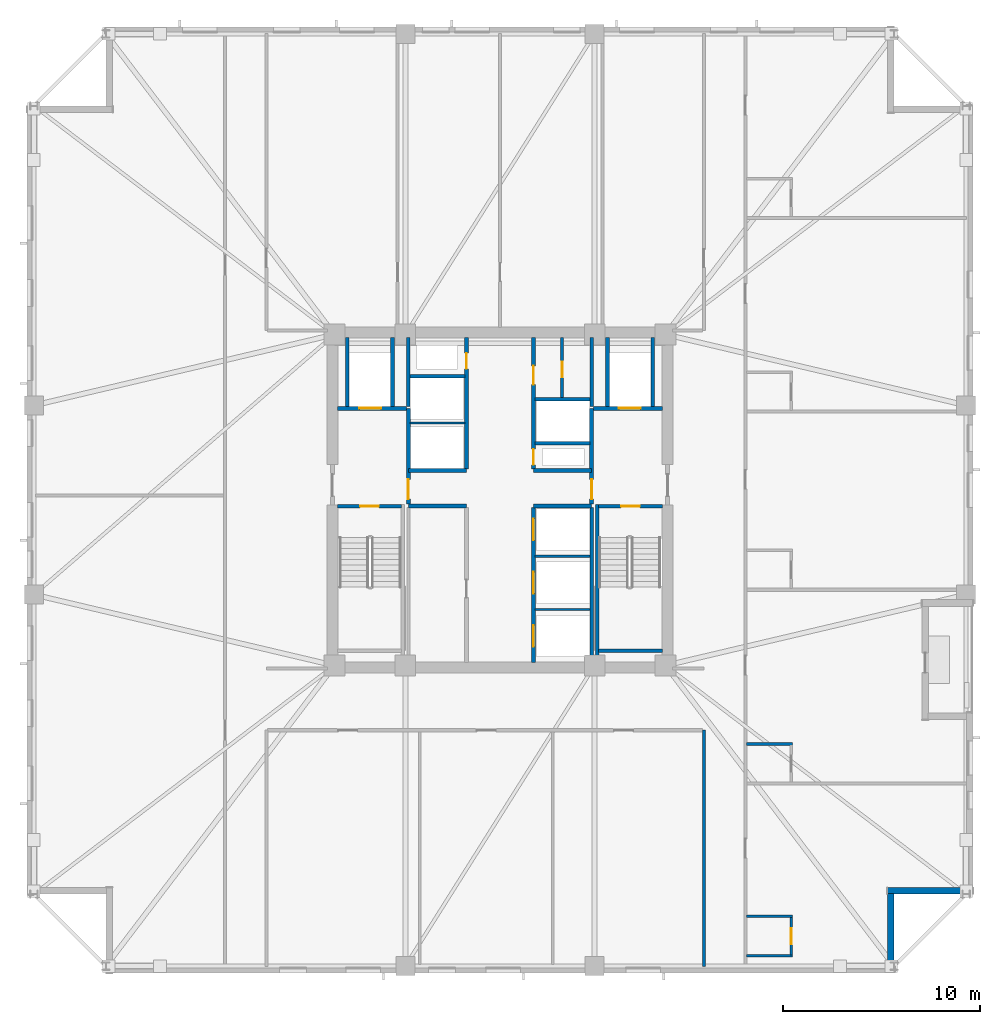
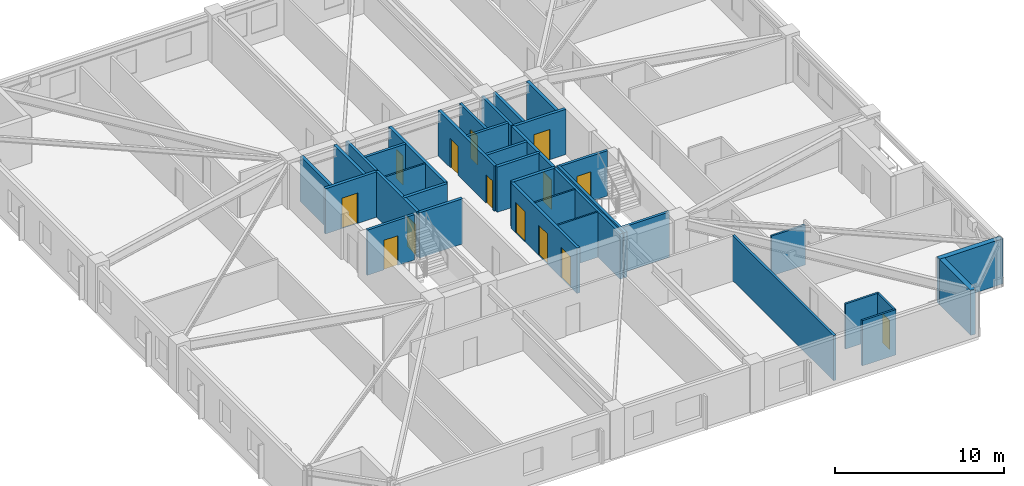
# One storey, part 3 of 10: 36 walls, 14 doors, 14 openings.
"""IFC4 building model written with IfcOpenShell, lengths in metres."""

from ifc_helpers import new_model, si_unit, direction, frame, frame_2d, origin, place, context, subcontext, project, spatial, rectangle, extrude, material, layer, layer_set, type_object, element, fill, save


model = new_model("IFC4")

# Units and contexts
model_context = context("Model", 3, precision=1e-05, world=origin(), true_north=direction((0.0, 1.0)))
body_context = subcontext(model_context, "Body", "Model", "MODEL_VIEW")
ifc_project = project(units=[si_unit("LENGTHUNIT", "METRE"), si_unit("AREAUNIT", "SQUARE_METRE"), si_unit("VOLUMEUNIT", "CUBIC_METRE"), si_unit("PLANEANGLEUNIT", "RADIAN"), si_unit("MASSUNIT", "GRAM", prefix="KILO")], contexts=[model_context])

# Site, building, storey
site_placement = place(None, origin())
site = spatial("IfcSite", under=ifc_project, at=site_placement, CompositionType="ELEMENT")
building_placement = place(site_placement, origin())
building = spatial("IfcBuilding", under=site, at=building_placement, Name="Cairnveth Concourse Tower", CompositionType="ELEMENT")
storey_placement = place(building_placement, frame((0.0, 0.0, 179.5)))
storey = spatial("IfcBuildingStorey", under=building, at=storey_placement, Name="L49", CompositionType="ELEMENT", Elevation=179.5)

# Wall, opening, door
ifc_material_1 = material(Name="Gypsum Plasterboard Partition", Category="gypsum")
ifc_layer_1 = layer(ifc_material_1, 0.159912109375)
ifc_layer_set_1 = layer_set([ifc_layer_1], Name="Gypsum Plasterboard Partition")
wall_type_1 = type_object("IfcWallType", Name="ACOUSTIC PARTY WALL 180", PredefinedType="PARTITIONING", material=ifc_layer_set_1)
wall_1_placement = place(storey_placement, frame((55.14990234375, 44.195068359375, 0.0), z_axis=(0.0, 0.0, 1.0), x_axis=(0.0, 1.0, 0.0)))
wall_1 = element("IfcWall", 1, at=wall_1_placement, inside=storey, type_object=wall_type_1, Name="Interior Wall IW-L49-035", PredefinedType="PARTITIONING", context=body_context, shape_type="SweptSolid", body=[
    extrude(rectangle(XDim=3.044921875, YDim=0.159912109375, at=frame_2d((1.5224609375, 0.0))), origin(), (0.0, 0.0, 1.0), 3.280029296875),
])
opening_1_placement = place(wall_1_placement, frame((1.02490234375, 0.0, 0.0)))
opening_1 = element("IfcOpeningElement", 2, at=opening_1_placement, cuts=wall_1, Name="Opening ID23", PredefinedType="OPENING", context=body_context, shape_type="SweptSolid", body=[
    extrude(rectangle(XDim=0.800048828125, YDim=2.10009765625, at=frame_2d((0.39990234375, 1.050048828125))), frame((0.0, 0.08984375, 0.0), z_axis=(0.0, -1.0, 0.0), x_axis=(1.0, 0.0, 0.0)), (0.0, 0.0, 1.0), 0.179931640625),
])
ifc_material_2 = material(Name="Steel Grade 350", Category="steel")
door_type_1 = type_object("IfcDoorType", Name="CORE SERVICE DOOR 800X2100", OperationType="NOTDEFINED", PredefinedType="DOOR", material=ifc_material_2)
door_1_placement = place(opening_1_placement, origin())
door_1 = element("IfcDoor", 3, at=door_1_placement, inside=storey, type_object=door_type_1, Name="NE Linen Closet Door L49", OperationType="SINGLE_SWING_RIGHT", OverallHeight=2.10009765625, OverallWidth=0.800048828125, PredefinedType="DOOR", context=body_context, shape_type="SweptSolid", body=[
    extrude(rectangle(XDim=0.800048828125, YDim=2.10009765625, at=frame_2d((0.39990234375, 1.050048828125))), frame((0.0, 0.02490234375, 0.0), z_axis=(0.0, -1.0, 0.0), x_axis=(1.0, 0.0, 0.0)), (0.0, 0.0, 1.0), 0.050048828125),
])
fill(opening_1, door_1)

# Walls
wall_2_placement = place(storey_placement, frame((62.35009765625, 15.324951171875, 0.0), z_axis=(0.0, 0.0, 1.0), x_axis=(0.0, 1.0, 0.0)))
element("IfcWall", 4, at=wall_2_placement, inside=storey, type_object=wall_type_1, Name="Interior Wall IW-L49-042", PredefinedType="PARTITIONING", context=body_context, shape_type="SweptSolid", body=[
    extrude(rectangle(XDim=11.9951171875, YDim=0.159912109375, at=frame_2d((5.99755859375, 0.0))), origin(), (0.0, 0.0, 1.0), 3.280029296875),
])
ifc_material_3 = material(Name="Concrete N50 (50 MPa)", Category="concrete")
ifc_layer_2 = layer(ifc_material_3, 0.179931640625)
ifc_layer_set_2 = layer_set([ifc_layer_2], Name="Concrete N50 (50 MPa)")
wall_type_2 = type_object("IfcWallType", Name="FIRE SHAFT WALL 180", PredefinedType="SOLIDWALL", material=ifc_layer_set_2)
wall_3_placement = place(storey_placement, frame((56.64990234375, 30.760009765625, 0.0), z_axis=(0.0, 0.0, 1.0), x_axis=(0.0, 1.0, 0.0)))
element("IfcWall", 5, at=wall_3_placement, inside=storey, type_object=wall_type_2, Name="Interior Wall IW-L49-026", PredefinedType="SOLIDWALL", context=body_context, shape_type="SweptSolid", body=[
    extrude(rectangle(XDim=7.85498046875, YDim=0.179931640625, at=frame_2d((3.927490234375, 0.0))), origin(), (0.0, 0.0, 1.0), 3.280029296875),
])
wall_4_placement = place(storey_placement, frame((47.35009765625, 43.735107421875, 0.0), z_axis=(0.0, 0.0, 1.0), x_axis=(0.0, 1.0, 0.0)))
element("IfcWall", 6, at=wall_4_placement, inside=storey, type_object=wall_type_2, Name="Interior Wall IW-L49-029", PredefinedType="SOLIDWALL", context=body_context, shape_type="SweptSolid", body=[
    extrude(rectangle(XDim=3.5048828125, YDim=0.179931640625, at=frame_2d((1.75244140625, 0.0))), origin(), (0.0, 0.0, 1.0), 3.280029296875),
])
wall_5_placement = place(storey_placement, frame((47.425048828125, 45.280029296875, 0.0), z_axis=(0.0, 0.0, 1.0), x_axis=(1.0, 0.0, 0.0)))
element("IfcWall", 7, at=wall_5_placement, inside=storey, type_object=wall_type_2, Name="Interior Wall IW-L49-031", PredefinedType="SOLIDWALL", context=body_context, shape_type="SweptSolid", body=[
    extrude(rectangle(XDim=2.7900390625, YDim=0.179931640625, at=frame_2d((1.39501953125, 0.0))), origin(), (0.0, 0.0, 1.0), 3.280029296875),
])
wall_6_placement = place(storey_placement, frame((56.64990234375, 43.735107421875, 0.0), z_axis=(0.0, 0.0, 1.0), x_axis=(0.0, 1.0, 0.0)))
element("IfcWall", 8, at=wall_6_placement, inside=storey, type_object=wall_type_2, Name="Interior Wall IW-L49-032", PredefinedType="SOLIDWALL", context=body_context, shape_type="SweptSolid", body=[
    extrude(rectangle(XDim=3.5048828125, YDim=0.179931640625, at=frame_2d((1.75244140625, 0.0))), origin(), (0.0, 0.0, 1.0), 3.280029296875),
])
wall_7_placement = place(storey_placement, frame((53.784912109375, 41.8798828125, 0.0), z_axis=(0.0, 0.0, 1.0), x_axis=(1.0, 0.0, 0.0)))
element("IfcWall", 9, at=wall_7_placement, inside=storey, type_object=wall_type_2, Name="Interior Wall IW-L49-033", PredefinedType="SOLIDWALL", context=body_context, shape_type="SweptSolid", body=[
    extrude(rectangle(XDim=2.780029296875, YDim=0.179931640625, at=frame_2d((1.39013671875, 0.0))), origin(), (0.0, 0.0, 1.0), 3.280029296875),
])
wall_8_placement = place(storey_placement, frame((53.784912109375, 44.1201171875, 0.0), z_axis=(0.0, 0.0, 1.0), x_axis=(1.0, 0.0, 0.0)))
element("IfcWall", 10, at=wall_8_placement, inside=storey, type_object=wall_type_2, Name="Interior Wall IW-L49-034", PredefinedType="SOLIDWALL", context=body_context, shape_type="SweptSolid", body=[
    extrude(rectangle(XDim=2.7900390625, YDim=0.179931640625, at=frame_2d((1.39501953125, 0.0))), origin(), (0.0, 0.0, 1.0), 3.280029296875),
])

# Wall, opening, door
wall_9_placement = place(storey_placement, frame((43.764892578125, 38.68994140625, 0.0), z_axis=(0.0, 0.0, 1.0), x_axis=(1.0, 0.0, 0.0)))
wall_9 = element("IfcWall", 11, at=wall_9_placement, inside=storey, type_object=wall_type_2, Name="Stair ST-1 Shaft Wall NEAR L49", PredefinedType="SOLIDWALL", context=body_context, shape_type="SweptSolid", body=[
    extrude(rectangle(XDim=3.230224609375, YDim=0.179931640625, at=frame_2d((1.615234375, 0.0))), origin(), (0.0, 0.0, 1.0), 3.280029296875),
])
opening_2_placement = place(wall_9_placement, frame((1.139892578125, 0.0, 0.0)))
opening_2 = element("IfcOpeningElement", 12, at=opening_2_placement, cuts=wall_9, Name="Opening ID12", PredefinedType="OPENING", context=body_context, shape_type="SweptSolid", body=[
    extrude(rectangle(XDim=0.949951171875, YDim=2.14990234375, at=frame_2d((0.47509765625, 1.074951171875))), frame((0.0, 0.099853515625, 0.0), z_axis=(0.0, -1.0, 0.0), x_axis=(1.0, 0.0, 0.0)), (0.0, 0.0, 1.0), 0.199951171875),
])
door_type_2 = type_object("IfcDoorType", Name="FIRE STAIR DOOR 950X2150", OperationType="NOTDEFINED", PredefinedType="DOOR", material=ifc_material_2)
door_2_placement = place(opening_2_placement, origin())
door_2 = element("IfcDoor", 13, at=door_2_placement, inside=storey, type_object=door_type_2, Name="Stair ST-1 Fire Door L49", OperationType="SINGLE_SWING_LEFT", OverallHeight=2.14990234375, OverallWidth=0.949951171875, PredefinedType="DOOR", context=body_context, shape_type="SweptSolid", body=[
    extrude(rectangle(XDim=0.949951171875, YDim=2.14990234375, at=frame_2d((0.47509765625, 1.074951171875))), frame((0.0, 0.02490234375, 0.0), z_axis=(0.0, -1.0, 0.0), x_axis=(1.0, 0.0, 0.0)), (0.0, 0.0, 1.0), 0.050048828125),
])
fill(opening_2, door_2)

wall_10_placement = place(storey_placement, frame((57.0048828125, 38.68994140625, 0.0), z_axis=(0.0, 0.0, 1.0), x_axis=(1.0, 0.0, 0.0)))
wall_10 = element("IfcWall", 14, at=wall_10_placement, inside=storey, type_object=wall_type_2, Name="Stair ST-2 Shaft Wall NEAR L49", PredefinedType="SOLIDWALL", context=body_context, shape_type="SweptSolid", body=[
    extrude(rectangle(XDim=3.230224609375, YDim=0.179931640625, at=frame_2d((1.615234375, 0.0))), origin(), (0.0, 0.0, 1.0), 3.280029296875),
])
opening_3_placement = place(wall_10_placement, frame((1.139892578125, 0.0, 0.0)))
opening_3 = element("IfcOpeningElement", 15, at=opening_3_placement, cuts=wall_10, Name="Opening ID12", PredefinedType="OPENING", context=body_context, shape_type="SweptSolid", body=[
    extrude(rectangle(XDim=0.949951171875, YDim=2.14990234375, at=frame_2d((0.47509765625, 1.074951171875))), frame((0.0, 0.099853515625, 0.0), z_axis=(0.0, -1.0, 0.0), x_axis=(1.0, 0.0, 0.0)), (0.0, 0.0, 1.0), 0.199951171875),
])
door_3_placement = place(opening_3_placement, origin())
door_3 = element("IfcDoor", 16, at=door_3_placement, inside=storey, type_object=door_type_2, Name="Stair ST-2 Fire Door L49", OperationType="SINGLE_SWING_RIGHT", OverallHeight=2.14990234375, OverallWidth=0.949951171875, PredefinedType="DOOR", context=body_context, shape_type="SweptSolid", body=[
    extrude(rectangle(XDim=0.949951171875, YDim=2.14990234375, at=frame_2d((0.47509765625, 1.074951171875))), frame((0.0, 0.02490234375, 0.0), z_axis=(0.0, -1.0, 0.0), x_axis=(1.0, 0.0, 0.0)), (0.0, 0.0, 1.0), 0.050048828125),
])
fill(opening_3, door_3)

# Walls
wall_11_placement = place(storey_placement, frame((57.0048828125, 31.360107421875, 0.0), z_axis=(0.0, 0.0, 1.0), x_axis=(1.0, 0.0, 0.0)))
element("IfcWall", 17, at=wall_11_placement, inside=storey, type_object=wall_type_2, Name="Stair ST-2 Shaft Wall FAR L49", PredefinedType="SOLIDWALL", context=body_context, shape_type="SweptSolid", body=[
    extrude(rectangle(XDim=3.230224609375, YDim=0.179931640625, at=frame_2d((1.615234375, 0.0))), origin(), (0.0, 0.0, 1.0), 3.280029296875),
])
wall_12_placement = place(storey_placement, frame((56.929931640625, 38.780029296875, 0.0), z_axis=(0.0, 0.0, 1.0), x_axis=(0.0, -1.0, 0.0)))
element("IfcWall", 18, at=wall_12_placement, inside=storey, type_object=wall_type_2, Name="Stair ST-2 Shaft Wall LEFT L49", PredefinedType="SOLIDWALL", context=body_context, shape_type="SweptSolid", body=[
    extrude(rectangle(XDim=8.01708984375, YDim=0.179931640625, at=frame_2d((4.008544921875, 0.0))), origin(), (0.0, 0.0, 1.0), 3.280029296875),
])
ifc_layer_3 = layer(ifc_material_3, 0.199951171875)
ifc_layer_set_3 = layer_set([ifc_layer_3], Name="Concrete N50 (50 MPa)")
wall_type_3 = type_object("IfcWallType", Name="FIRE SHAFT WALL 200", PredefinedType="SOLIDWALL", material=ifc_layer_set_3)
for number, where, z_axis, x_axis, name in (
    (19, (47.35009765625, 38.699951171875, 0.0), (0.0, 0.0, 1.0), (1.0, 0.0, 0.0), "Interior Wall IW-L49-007"),
    (20, (47.35009765625, 40.5, 0.0), (0.0, 0.0, 1.0), (1.0, 0.0, 0.0), "Interior Wall IW-L49-008"),
    (21, (53.699951171875, 38.699951171875, 0.0), (0.0, 0.0, 1.0), (1.0, 0.0, 0.0), "Interior Wall IW-L49-009"),
    (22, (53.699951171875, 40.5, 0.0), (0.0, 0.0, 1.0), (1.0, 0.0, 0.0), "Interior Wall IW-L49-010"),
):
    element("IfcWall", number, at=place(storey_placement, frame(where, z_axis=z_axis, x_axis=x_axis)), inside=storey, type_object=wall_type_3, Name=name, PredefinedType="SOLIDWALL", context=body_context, shape_type="SweptSolid", body=[
        extrude(rectangle(XDim=2.949951171875, YDim=0.199951171875, at=frame_2d((1.47509765625, 0.0))), origin(), (0.0, 0.0, 1.0), 3.280029296875),
    ])

# Wall, openings, doors
wall_13_placement = place(storey_placement, frame((53.699951171875, 30.760009765625, 0.0), z_axis=(0.0, 0.0, 1.0), x_axis=(0.0, 1.0, 0.0)))
wall_13 = element("IfcWall", 23, at=wall_13_placement, inside=storey, type_object=wall_type_3, Name="Interior Wall IW-L49-012", PredefinedType="SOLIDWALL", context=body_context, shape_type="SweptSolid", body=[
    extrude(rectangle(XDim=7.85498046875, YDim=0.199951171875, at=frame_2d((3.927490234375, 0.0))), origin(), (0.0, 0.0, 1.0), 3.280029296875),
])
opening_4_placement = place(wall_13_placement, frame((0.7900390625, 0.0, 0.0)))
opening_4 = element("IfcOpeningElement", 24, at=opening_4_placement, cuts=wall_13, Name="Opening LD-1", PredefinedType="OPENING", context=body_context, shape_type="SweptSolid", body=[
    extrude(rectangle(XDim=1.10009765625, YDim=2.199951171875, at=frame_2d((0.550048828125, 1.10009765625))), frame((0.0, 0.10986328125, 0.0), z_axis=(0.0, -1.0, 0.0), x_axis=(1.0, 0.0, 0.0)), (0.0, 0.0, 1.0), 0.219970703125),
])
opening_5_placement = place(wall_13_placement, frame((3.489990234375, 0.0, 0.0)))
opening_5 = element("IfcOpeningElement", 25, at=opening_5_placement, cuts=wall_13, Name="Opening LD-1", PredefinedType="OPENING", context=body_context, shape_type="SweptSolid", body=[
    extrude(rectangle(XDim=1.10009765625, YDim=2.199951171875, at=frame_2d((0.550048828125, 1.10009765625))), frame((0.0, 0.10986328125, 0.0), z_axis=(0.0, -1.0, 0.0), x_axis=(1.0, 0.0, 0.0)), (0.0, 0.0, 1.0), 0.219970703125),
])
opening_6_placement = place(wall_13_placement, frame((6.18994140625, 0.0, 0.0)))
opening_6 = element("IfcOpeningElement", 26, at=opening_6_placement, cuts=wall_13, Name="Opening LD-1", PredefinedType="OPENING", context=body_context, shape_type="SweptSolid", body=[
    extrude(rectangle(XDim=1.10009765625, YDim=2.199951171875, at=frame_2d((0.550048828125, 1.10009765625))), frame((0.0, 0.10986328125, 0.0), z_axis=(0.0, -1.0, 0.0), x_axis=(1.0, 0.0, 0.0)), (0.0, 0.0, 1.0), 0.219970703125),
])
ifc_material_4 = material(Name="Architectural Bronze Anodised Aluminium 6063-T6", Category="aluminium")
door_type_3 = type_object("IfcDoorType", Name="LIFT LANDING DOOR 1100X2200", OperationType="SLIDING_TO_LEFT", PredefinedType="DOOR", material=ifc_material_4)
door_4_placement = place(opening_4_placement, origin())
door_4 = element("IfcDoor", 27, at=door_4_placement, inside=storey, type_object=door_type_3, Name="Lift PL4 Landing Door L49", OperationType="SLIDING_TO_LEFT", OverallHeight=2.199951171875, OverallWidth=1.10009765625, PredefinedType="DOOR", context=body_context, shape_type="SweptSolid", body=[
    extrude(rectangle(XDim=1.10009765625, YDim=2.199951171875, at=frame_2d((0.550048828125, 1.10009765625))), frame((0.0, 0.02490234375, 0.0), z_axis=(0.0, -1.0, 0.0), x_axis=(1.0, 0.0, 0.0)), (0.0, 0.0, 1.0), 0.050048828125),
])
fill(opening_4, door_4)
door_5_placement = place(opening_5_placement, origin())
door_5 = element("IfcDoor", 28, at=door_5_placement, inside=storey, type_object=door_type_3, Name="Lift PL5 Landing Door L49", OperationType="SLIDING_TO_LEFT", OverallHeight=2.199951171875, OverallWidth=1.10009765625, PredefinedType="DOOR", context=body_context, shape_type="SweptSolid", body=[
    extrude(rectangle(XDim=1.10009765625, YDim=2.199951171875, at=frame_2d((0.550048828125, 1.10009765625))), frame((0.0, 0.02490234375, 0.0), z_axis=(0.0, -1.0, 0.0), x_axis=(1.0, 0.0, 0.0)), (0.0, 0.0, 1.0), 0.050048828125),
])
fill(opening_5, door_5)
door_6_placement = place(opening_6_placement, origin())
door_6 = element("IfcDoor", 29, at=door_6_placement, inside=storey, type_object=door_type_3, Name="Lift PL6 Landing Door L49", OperationType="SLIDING_TO_LEFT", OverallHeight=2.199951171875, OverallWidth=1.10009765625, PredefinedType="DOOR", context=body_context, shape_type="SweptSolid", body=[
    extrude(rectangle(XDim=1.10009765625, YDim=2.199951171875, at=frame_2d((0.550048828125, 1.10009765625))), frame((0.0, 0.02490234375, 0.0), z_axis=(0.0, -1.0, 0.0), x_axis=(1.0, 0.0, 0.0)), (0.0, 0.0, 1.0), 0.050048828125),
])
fill(opening_6, door_6)

# Wall, opening, door
wall_14_placement = place(storey_placement, frame((50.300048828125, 40.5849609375, 0.0), z_axis=(0.0, 0.0, 1.0), x_axis=(0.0, 1.0, 0.0)))
wall_14 = element("IfcWall", 30, at=wall_14_placement, inside=storey, type_object=wall_type_3, Name="Interior Wall IW-L49-013", PredefinedType="SOLIDWALL", context=body_context, shape_type="SweptSolid", body=[
    extrude(rectangle(XDim=6.655029296875, YDim=0.199951171875, at=frame_2d((3.32763671875, 0.0))), origin(), (0.0, 0.0, 1.0), 3.280029296875),
])
opening_7_placement = place(wall_14_placement, frame((5.06494140625, 0.0, 0.0)))
opening_7 = element("IfcOpeningElement", 31, at=opening_7_placement, cuts=wall_14, Name="Opening ID24", PredefinedType="OPENING", context=body_context, shape_type="SweptSolid", body=[
    extrude(rectangle(XDim=0.800048828125, YDim=2.080078125, at=frame_2d((0.39990234375, 1.0400390625))), frame((0.0, 0.10986328125, 0.0), z_axis=(0.0, -1.0, 0.0), x_axis=(1.0, 0.0, 0.0)), (0.0, 0.0, 1.0), 0.219970703125),
])
door_type_4 = type_object("IfcDoorType", Name="RISER ACCESS DOOR 800X2100", OperationType="NOTDEFINED", PredefinedType="DOOR", material=ifc_material_2)
door_7_placement = place(opening_7_placement, origin())
door_7 = element("IfcDoor", 32, at=door_7_placement, inside=storey, type_object=door_type_4, Name="NW Electrical Riser Access Door L49", OperationType="SINGLE_SWING_LEFT", OverallHeight=2.080078125, OverallWidth=0.800048828125, PredefinedType="DOOR", context=body_context, shape_type="SweptSolid", body=[
    extrude(rectangle(XDim=0.800048828125, YDim=2.080078125, at=frame_2d((0.39990234375, 1.0400390625))), frame((0.0, 0.02490234375, 0.0), z_axis=(0.0, -1.0, 0.0), x_axis=(1.0, 0.0, 0.0)), (0.0, 0.0, 1.0), 0.050048828125),
])
fill(opening_7, door_7)

# Wall, openings, doors
wall_15_placement = place(storey_placement, frame((53.699951171875, 40.5849609375, 0.0), z_axis=(0.0, 0.0, 1.0), x_axis=(0.0, 1.0, 0.0)))
wall_15 = element("IfcWall", 33, at=wall_15_placement, inside=storey, type_object=wall_type_3, Name="Interior Wall IW-L49-014", PredefinedType="SOLIDWALL", context=body_context, shape_type="SweptSolid", body=[
    extrude(rectangle(XDim=6.655029296875, YDim=0.199951171875, at=frame_2d((3.32763671875, 0.0))), origin(), (0.0, 0.0, 1.0), 3.280029296875),
])
opening_8_placement = place(wall_15_placement, frame((0.195068359375, 0.0, 0.0)))
opening_8 = element("IfcOpeningElement", 34, at=opening_8_placement, cuts=wall_15, Name="Opening ID24", PredefinedType="OPENING", context=body_context, shape_type="SweptSolid", body=[
    extrude(rectangle(XDim=0.800048828125, YDim=2.080078125, at=frame_2d((0.39990234375, 1.0400390625))), frame((0.0, 0.10986328125, 0.0), z_axis=(0.0, -1.0, 0.0), x_axis=(1.0, 0.0, 0.0)), (0.0, 0.0, 1.0), 0.219970703125),
])
opening_9_placement = place(wall_15_placement, frame((4.264892578125, 0.0, 0.0)))
opening_9 = element("IfcOpeningElement", 35, at=opening_9_placement, cuts=wall_15, Name="Opening ID25", PredefinedType="OPENING", context=body_context, shape_type="SweptSolid", body=[
    extrude(rectangle(XDim=0.949951171875, YDim=2.1201171875, at=frame_2d((0.47509765625, 1.06005859375))), frame((0.0, 0.10986328125, 0.0), z_axis=(0.0, -1.0, 0.0), x_axis=(1.0, 0.0, 0.0)), (0.0, 0.0, 1.0), 0.219970703125),
])
door_type_5 = type_object("IfcDoorType", Name="CORE ACCESSIBLE FIRE DOOR 950X2120", OperationType="NOTDEFINED", PredefinedType="DOOR", material=ifc_material_2)
door_8_placement = place(opening_9_placement, origin())
door_8 = element("IfcDoor", 36, at=door_8_placement, inside=storey, type_object=door_type_5, Name="Core NE Restroom Door L49", OperationType="SINGLE_SWING_LEFT", OverallHeight=2.1201171875, OverallWidth=0.949951171875, PredefinedType="DOOR", context=body_context, shape_type="SweptSolid", body=[
    extrude(rectangle(XDim=0.949951171875, YDim=2.1201171875, at=frame_2d((0.47509765625, 1.06005859375))), frame((0.0, 0.02490234375, 0.0), z_axis=(0.0, -1.0, 0.0), x_axis=(1.0, 0.0, 0.0)), (0.0, 0.0, 1.0), 0.050048828125),
])
fill(opening_9, door_8)
door_9_placement = place(opening_8_placement, origin())
door_9 = element("IfcDoor", 37, at=door_9_placement, inside=storey, type_object=door_type_4, Name="Hydraulic Riser Door L49", OperationType="SINGLE_SWING_RIGHT", OverallHeight=2.080078125, OverallWidth=0.800048828125, PredefinedType="DOOR", context=body_context, shape_type="SweptSolid", body=[
    extrude(rectangle(XDim=0.800048828125, YDim=2.080078125, at=frame_2d((0.39990234375, 1.0400390625))), frame((0.0, 0.02490234375, 0.0), z_axis=(0.0, -1.0, 0.0), x_axis=(1.0, 0.0, 0.0)), (0.0, 0.0, 1.0), 0.050048828125),
])
fill(opening_8, door_9)

# Wall, opening, door
wall_16_placement = place(storey_placement, frame((47.35009765625, 38.784912109375, 0.0), z_axis=(0.0, 0.0, 1.0), x_axis=(0.0, 1.0, 0.0)))
wall_16 = element("IfcWall", 38, at=wall_16_placement, inside=storey, type_object=wall_type_3, Name="Interior Wall IW-L49-016", PredefinedType="SOLIDWALL", context=body_context, shape_type="SweptSolid", body=[
    extrude(rectangle(XDim=4.864990234375, YDim=0.199951171875, at=frame_2d((2.4326171875, 0.0))), origin(), (0.0, 0.0, 1.0), 3.280029296875),
])
opening_10_placement = place(wall_16_placement, frame((0.264892578125, 0.0, 0.0)))
opening_10 = element("IfcOpeningElement", 39, at=opening_10_placement, cuts=wall_16, Name="Opening ID07", PredefinedType="OPENING", context=body_context, shape_type="SweptSolid", body=[
    extrude(rectangle(XDim=1.0, YDim=2.14990234375, at=frame_2d((0.5, 1.074951171875))), frame((0.0, 0.10986328125, 0.0), z_axis=(0.0, -1.0, 0.0), x_axis=(1.0, 0.0, 0.0)), (0.0, 0.0, 1.0), 0.219970703125),
])
door_type_6 = type_object("IfcDoorType", Name="FIRE CORRIDOR DOOR 1000X2150", OperationType="NOTDEFINED", PredefinedType="DOOR", material=ifc_material_2)
door_10_placement = place(opening_10_placement, origin())
door_10 = element("IfcDoor", 40, at=door_10_placement, inside=storey, type_object=door_type_6, Name="FF Lobby West to Lift Lobby Door L49", OperationType="SINGLE_SWING_RIGHT", OverallHeight=2.14990234375, OverallWidth=1.0, PredefinedType="DOOR", context=body_context, shape_type="SweptSolid", body=[
    extrude(rectangle(XDim=1.0, YDim=2.14990234375, at=frame_2d((0.5, 1.074951171875))), frame((0.0, 0.02490234375, 0.0), z_axis=(0.0, -1.0, 0.0), x_axis=(1.0, 0.0, 0.0)), (0.0, 0.0, 1.0), 0.050048828125),
])
fill(opening_10, door_10)

wall_17_placement = place(storey_placement, frame((43.760009765625, 43.64990234375, 0.0), z_axis=(0.0, 0.0, 1.0), x_axis=(1.0, 0.0, 0.0)))
wall_17 = element("IfcWall", 41, at=wall_17_placement, inside=storey, type_object=wall_type_3, Name="Interior Wall IW-L49-017", PredefinedType="SOLIDWALL", context=body_context, shape_type="SweptSolid", body=[
    extrude(rectangle(XDim=3.5048828125, YDim=0.199951171875, at=frame_2d((1.75244140625, 0.0))), origin(), (0.0, 0.0, 1.0), 3.280029296875),
])
opening_11_placement = place(wall_17_placement, frame((1.110107421875, 0.0, 0.0)))
opening_11 = element("IfcOpeningElement", 42, at=opening_11_placement, cuts=wall_17, Name="Opening LD-1", PredefinedType="OPENING", context=body_context, shape_type="SweptSolid", body=[
    extrude(rectangle(XDim=1.10009765625, YDim=2.199951171875, at=frame_2d((0.550048828125, 1.10009765625))), frame((0.0, 0.10986328125, 0.0), z_axis=(0.0, -1.0, 0.0), x_axis=(1.0, 0.0, 0.0)), (0.0, 0.0, 1.0), 0.219970703125),
])
door_11_placement = place(opening_11_placement, origin())
door_11 = element("IfcDoor", 43, at=door_11_placement, inside=storey, type_object=door_type_3, Name="Lift FFL1 Landing Door L49", OperationType="SLIDING_TO_LEFT", OverallHeight=2.199951171875, OverallWidth=1.10009765625, PredefinedType="DOOR", context=body_context, shape_type="SweptSolid", body=[
    extrude(rectangle(XDim=1.10009765625, YDim=2.199951171875, at=frame_2d((0.550048828125, 1.10009765625))), frame((0.0, 0.02490234375, 0.0), z_axis=(0.0, -1.0, 0.0), x_axis=(1.0, 0.0, 0.0)), (0.0, 0.0, 1.0), 0.050048828125),
])
fill(opening_11, door_11)

# Walls
for number, where, z_axis, x_axis, name in (
    (44, (46.550048828125, 43.735107421875, 0.0), (0.0, 0.0, 1.0), (0.0, 1.0, 0.0), "Interior Wall IW-L49-018"),
    (45, (44.25, 43.735107421875, 0.0), (0.0, 0.0, 1.0), (0.0, 1.0, 0.0), "Interior Wall IW-L49-019"),
):
    element("IfcWall", number, at=place(storey_placement, frame(where, z_axis=z_axis, x_axis=x_axis)), inside=storey, type_object=wall_type_3, Name=name, PredefinedType="SOLIDWALL", context=body_context, shape_type="SweptSolid", body=[
        extrude(rectangle(XDim=3.5048828125, YDim=0.199951171875, at=frame_2d((1.75244140625, 0.0))), origin(), (0.0, 0.0, 1.0), 3.280029296875),
    ])

# Wall, opening, door
wall_18_placement = place(storey_placement, frame((56.64990234375, 38.784912109375, 0.0), z_axis=(0.0, 0.0, 1.0), x_axis=(0.0, 1.0, 0.0)))
wall_18 = element("IfcWall", 46, at=wall_18_placement, inside=storey, type_object=wall_type_3, Name="Interior Wall IW-L49-021", PredefinedType="SOLIDWALL", context=body_context, shape_type="SweptSolid", body=[
    extrude(rectangle(XDim=4.864990234375, YDim=0.199951171875, at=frame_2d((2.4326171875, 0.0))), origin(), (0.0, 0.0, 1.0), 3.280029296875),
])
opening_12_placement = place(wall_18_placement, frame((0.264892578125, 0.0, 0.0)))
opening_12 = element("IfcOpeningElement", 47, at=opening_12_placement, cuts=wall_18, Name="Opening ID07", PredefinedType="OPENING", context=body_context, shape_type="SweptSolid", body=[
    extrude(rectangle(XDim=1.0, YDim=2.14990234375, at=frame_2d((0.5, 1.074951171875))), frame((0.0, 0.10986328125, 0.0), z_axis=(0.0, -1.0, 0.0), x_axis=(1.0, 0.0, 0.0)), (0.0, 0.0, 1.0), 0.219970703125),
])
door_12_placement = place(opening_12_placement, origin())
door_12 = element("IfcDoor", 48, at=door_12_placement, inside=storey, type_object=door_type_6, Name="FF Lobby East to Lift Lobby Door L49", OperationType="SINGLE_SWING_LEFT", OverallHeight=2.14990234375, OverallWidth=1.0, PredefinedType="DOOR", context=body_context, shape_type="SweptSolid", body=[
    extrude(rectangle(XDim=1.0, YDim=2.14990234375, at=frame_2d((0.5, 1.074951171875))), frame((0.0, 0.02490234375, 0.0), z_axis=(0.0, -1.0, 0.0), x_axis=(1.0, 0.0, 0.0)), (0.0, 0.0, 1.0), 0.050048828125),
])
fill(opening_12, door_12)

wall_19_placement = place(storey_placement, frame((56.735107421875, 43.64990234375, 0.0), z_axis=(0.0, 0.0, 1.0), x_axis=(1.0, 0.0, 0.0)))
wall_19 = element("IfcWall", 49, at=wall_19_placement, inside=storey, type_object=wall_type_3, Name="Interior Wall IW-L49-022", PredefinedType="SOLIDWALL", context=body_context, shape_type="SweptSolid", body=[
    extrude(rectangle(XDim=3.5048828125, YDim=0.199951171875, at=frame_2d((1.75244140625, 0.0))), origin(), (0.0, 0.0, 1.0), 3.280029296875),
])
opening_13_placement = place(wall_19_placement, frame((1.294921875, 0.0, 0.0)))
opening_13 = element("IfcOpeningElement", 50, at=opening_13_placement, cuts=wall_19, Name="Opening LD-1", PredefinedType="OPENING", context=body_context, shape_type="SweptSolid", body=[
    extrude(rectangle(XDim=1.10009765625, YDim=2.199951171875, at=frame_2d((0.550048828125, 1.10009765625))), frame((0.0, 0.10986328125, 0.0), z_axis=(0.0, -1.0, 0.0), x_axis=(1.0, 0.0, 0.0)), (0.0, 0.0, 1.0), 0.219970703125),
])
door_13_placement = place(opening_13_placement, origin())
door_13 = element("IfcDoor", 51, at=door_13_placement, inside=storey, type_object=door_type_3, Name="Lift FFL2 Landing Door L49", OperationType="SLIDING_TO_LEFT", OverallHeight=2.199951171875, OverallWidth=1.10009765625, PredefinedType="DOOR", context=body_context, shape_type="SweptSolid", body=[
    extrude(rectangle(XDim=1.10009765625, YDim=2.199951171875, at=frame_2d((0.550048828125, 1.10009765625))), frame((0.0, 0.02490234375, 0.0), z_axis=(0.0, -1.0, 0.0), x_axis=(1.0, 0.0, 0.0)), (0.0, 0.0, 1.0), 0.050048828125),
])
fill(opening_13, door_13)

# Walls
for number, where, z_axis, x_axis, name in (
    (52, (57.449951171875, 43.735107421875, 0.0), (0.0, 0.0, 1.0), (0.0, 1.0, 0.0), "Interior Wall IW-L49-023"),
    (53, (59.75, 43.735107421875, 0.0), (0.0, 0.0, 1.0), (0.0, 1.0, 0.0), "Interior Wall IW-L49-024"),
):
    element("IfcWall", number, at=place(storey_placement, frame(where, z_axis=z_axis, x_axis=x_axis)), inside=storey, type_object=wall_type_3, Name=name, PredefinedType="SOLIDWALL", context=body_context, shape_type="SweptSolid", body=[
        extrude(rectangle(XDim=3.5048828125, YDim=0.199951171875, at=frame_2d((1.75244140625, 0.0))), origin(), (0.0, 0.0, 1.0), 3.280029296875),
    ])
ifc_layer_4 = layer(ifc_material_1, 0.110107421875)
ifc_layer_set_4 = layer_set([ifc_layer_4], Name="Gypsum Plasterboard Partition")
wall_type_4 = type_object("IfcWallType", Name="SHAFT DIVIDER WALL 140", PredefinedType="PARTITIONING", material=ifc_layer_set_4)
for number, where, z_axis, x_axis, name in (
    (54, (53.784912109375, 33.449951171875, 0.0), (0.0, 0.0, 1.0), (1.0, 0.0, 0.0), "Interior Wall IW-L49-027"),
    (55, (53.784912109375, 36.14990234375, 0.0), (0.0, 0.0, 1.0), (1.0, 0.0, 0.0), "Interior Wall IW-L49-028"),
):
    element("IfcWall", number, at=place(storey_placement, frame(where, z_axis=z_axis, x_axis=x_axis)), inside=storey, type_object=wall_type_4, Name=name, PredefinedType="PARTITIONING", context=body_context, shape_type="SweptSolid", body=[
        extrude(rectangle(XDim=2.7900390625, YDim=0.110107421875, at=frame_2d((1.39501953125, 0.0))), origin(), (0.0, 0.0, 1.0), 3.280029296875),
    ])
wall_20_placement = place(storey_placement, frame((47.43505859375, 42.89990234375, 0.0), z_axis=(0.0, 0.0, 1.0), x_axis=(1.0, 0.0, 0.0)))
element("IfcWall", 56, at=wall_20_placement, inside=storey, type_object=wall_type_4, Name="Interior Wall IW-L49-030", PredefinedType="PARTITIONING", context=body_context, shape_type="SweptSolid", body=[
    extrude(rectangle(XDim=2.780029296875, YDim=0.110107421875, at=frame_2d((1.39013671875, 0.0))), origin(), (0.0, 0.0, 1.0), 3.280029296875),
])
ifc_layer_5 = layer(ifc_material_1, 0.1298828125)
ifc_layer_set_5 = layer_set([ifc_layer_5], Name="Gypsum Plasterboard Partition")
wall_type_5 = type_object("IfcWallType", Name="WET AREA PARTITION 140", PredefinedType="PLUMBINGWALL", material=ifc_layer_set_5)
for number, where, z_axis, x_axis, name in (
    (57, (64.514892578125, 15.8701171875, 0.0), (0.0, 0.0, 1.0), (1.0, 0.0, 0.0), "Interior Wall IW-L49-053"),
    (58, (64.514892578125, 17.8701171875, 0.0), (0.0, 0.0, 1.0), (1.0, 0.0, 0.0), "Interior Wall IW-L49-054"),
):
    element("IfcWall", number, at=place(storey_placement, frame(where, z_axis=z_axis, x_axis=x_axis)), inside=storey, type_object=wall_type_5, Name=name, PredefinedType="PLUMBINGWALL", context=body_context, shape_type="SweptSolid", body=[
        extrude(rectangle(XDim=2.315185546875, YDim=0.1298828125, at=frame_2d((1.15771484375, 0.0))), origin(), (0.0, 0.0, 1.0), 3.280029296875),
    ])

# Wall, opening, door
wall_21_placement = place(storey_placement, frame((66.780029296875, 15.919921875, 0.0), z_axis=(0.0, 0.0, 1.0), x_axis=(0.0, 1.0, 0.0)))
wall_21 = element("IfcWall", 59, at=wall_21_placement, inside=storey, type_object=wall_type_5, Name="Interior Wall IW-L49-055", PredefinedType="PLUMBINGWALL", context=body_context, shape_type="SweptSolid", body=[
    extrude(rectangle(XDim=1.900146484375, YDim=0.1298828125, at=frame_2d((0.9501953125, 0.0))), origin(), (0.0, 0.0, 1.0), 3.280029296875),
])
opening_14_placement = place(wall_21_placement, frame((0.5400390625, 0.0, 0.0)))
opening_14 = element("IfcOpeningElement", 60, at=opening_14_placement, cuts=wall_21, Name="Opening ID22", PredefinedType="OPENING", context=body_context, shape_type="SweptSolid", body=[
    extrude(rectangle(XDim=0.820068359375, YDim=2.10009765625, at=frame_2d((0.41015625, 1.050048828125))), frame((0.0, 0.074951171875, 0.0), z_axis=(0.0, -1.0, 0.0), x_axis=(1.0, 0.0, 0.0)), (0.0, 0.0, 1.0), 0.14990234375),
])
ifc_material_5 = material(Name="Solid Core Hardwood Timber Leaf", Category="wood")
door_type_7 = type_object("IfcDoorType", Name="INTERIOR WC DOOR 820X2100", OperationType="NOTDEFINED", PredefinedType="DOOR", material=ifc_material_5)
door_14_placement = place(opening_14_placement, origin())
door_14 = element("IfcDoor", 61, at=door_14_placement, inside=storey, type_object=door_type_7, Name="En-Suite Door L49-E1", OperationType="SINGLE_SWING_RIGHT", OverallHeight=2.10009765625, OverallWidth=0.820068359375, PredefinedType="DOOR", context=body_context, shape_type="SweptSolid", body=[
    extrude(rectangle(XDim=0.820068359375, YDim=2.10009765625, at=frame_2d((0.41015625, 1.050048828125))), frame((0.0, 0.02490234375, 0.0), z_axis=(0.0, -1.0, 0.0), x_axis=(1.0, 0.0, 0.0)), (0.0, 0.0, 1.0), 0.050048828125),
])
fill(opening_14, door_14)

# Walls
wall_22_placement = place(storey_placement, frame((64.514892578125, 26.61962890625, 0.0), z_axis=(0.0, 0.0, 1.0), x_axis=(1.0, 0.0, 0.0)))
element("IfcWall", 62, at=wall_22_placement, inside=storey, type_object=wall_type_5, Name="Interior Wall IW-L49-057", PredefinedType="PLUMBINGWALL", context=body_context, shape_type="SweptSolid", body=[
    extrude(rectangle(XDim=2.315185546875, YDim=0.1298828125, at=frame_2d((1.15771484375, 0.0))), origin(), (0.0, 0.0, 1.0), 2.89599609375),
])
ifc_material_6 = material(Name="Hawthorn Red-Ochre Fired Clay Brick Masonry", Category="masonry")
ifc_layer_6 = layer(ifc_material_6, 0.340087890625)
ifc_layer_set_6 = layer_set([ifc_layer_6], Name="Hawthorn Red-Ochre Fired Clay Brick Masonry")
wall_type_6 = type_object("IfcWallType", Name="ZONE 2 BRICK PIER SPANDREL WALL 340", PredefinedType="SOLIDWALL", material=ifc_layer_set_6)
wall_23_placement = place(storey_placement, frame((76.0, 19.169921875, 0.0), z_axis=(0.0, 0.0, 1.0), x_axis=(-1.0, 0.0, 0.0)))
element("IfcWall", 63, at=wall_23_placement, inside=storey, type_object=wall_type_6, Name="Exterior Wall EW-L49-S01", PredefinedType="SOLIDWALL", context=body_context, shape_type="SweptSolid", body=[
    extrude(rectangle(XDim=4.340087890625, YDim=0.340087890625, at=frame_2d((2.169921875, 0.0))), origin(), (0.0, 0.0, 1.0), 3.280029296875),
])
wall_24_placement = place(storey_placement, frame((71.830078125, 19.02197265625, 0.0), z_axis=(0.0, 0.0, 1.0), x_axis=(0.0, -1.0, 0.0)))
element("IfcWall", 64, at=wall_24_placement, inside=storey, type_object=wall_type_6, Name="Exterior Wall EW-L49-S02", PredefinedType="SOLIDWALL", context=body_context, shape_type="SweptSolid", body=[
    extrude(rectangle(XDim=3.703857421875, YDim=0.340087890625, at=frame_2d((1.85205078125, 0.0))), origin(), (0.0, 0.0, 1.0), 3.280029296875),
])

save(model, "model.ifc")
